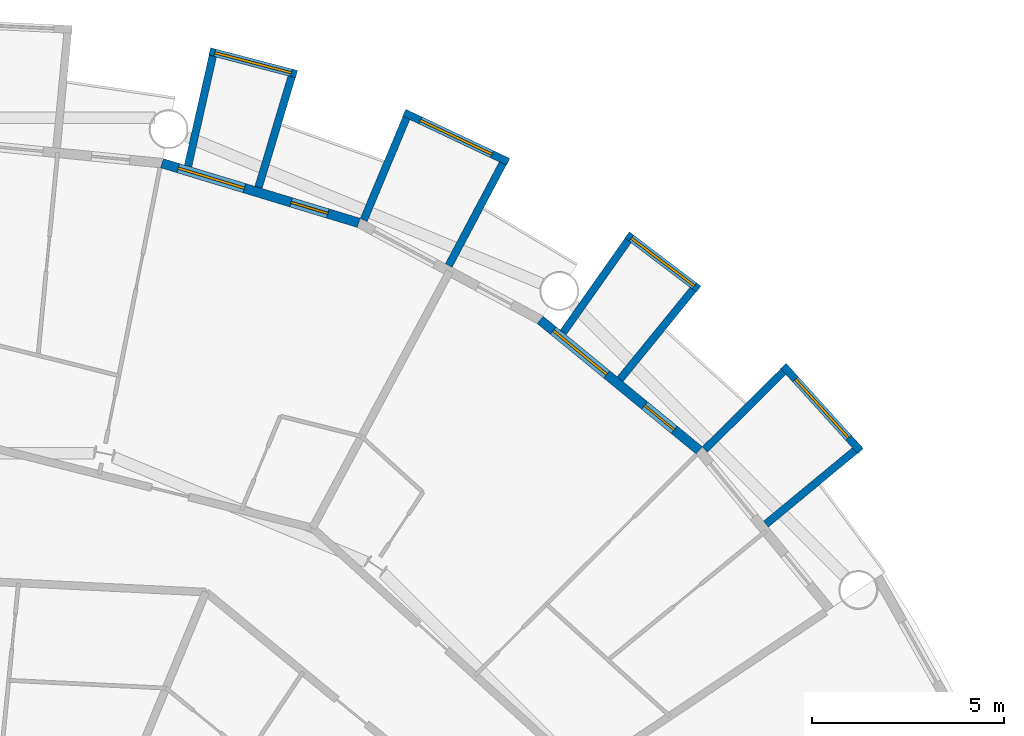
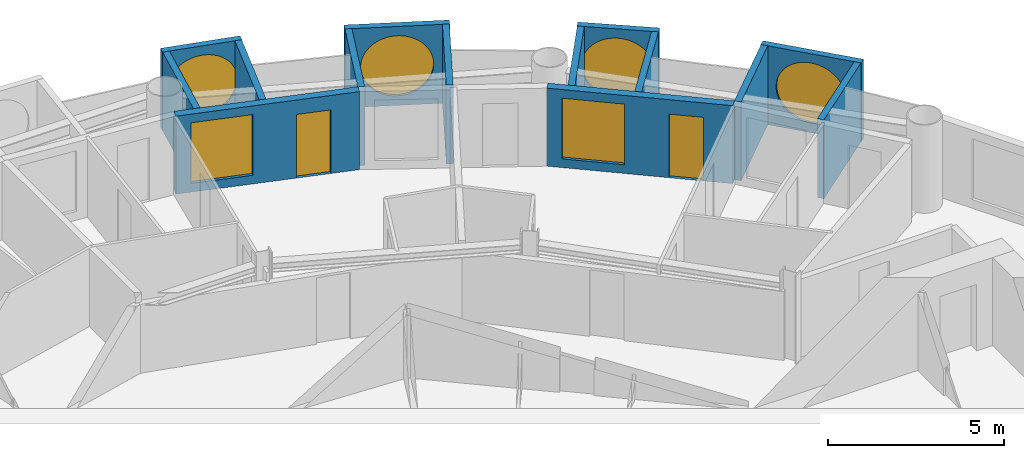
# One storey, part 22 of 26: 14 walls, 6 windows, 2 doors, 8 openings.
"""IFC4 building model written with IfcOpenShell, lengths in metres."""

from ifc_helpers import new_model, si_unit, direction, frame, frame_2d, origin, place, context, subcontext, project, spatial, rectangle, circle, extrude, material, layer, layer_set, type_object, element, fill, save


model = new_model("IFC4")

# Units and contexts
model_context = context("Model", 3, precision=1e-05, world=origin(), true_north=direction((0.0, 1.0)))
body_context = subcontext(model_context, "Body", "Model", "MODEL_VIEW")
ifc_project = project(units=[si_unit("LENGTHUNIT", "METRE"), si_unit("AREAUNIT", "SQUARE_METRE"), si_unit("VOLUMEUNIT", "CUBIC_METRE"), si_unit("PLANEANGLEUNIT", "RADIAN"), si_unit("MASSUNIT", "GRAM", prefix="KILO")], contexts=[model_context])

# Site, building, storey
site_placement = place(None, origin())
site = spatial("IfcSite", under=ifc_project, at=site_placement, CompositionType="ELEMENT")
building_placement = place(site_placement, origin())
building = spatial("IfcBuilding", under=site, at=building_placement, Name="Maasbend Ring Residences", CompositionType="ELEMENT")
storey_placement = place(building_placement, frame((0.0, 0.0, 81.89990234375)))
storey = spatial("IfcBuildingStorey", under=building, at=storey_placement, Name="L23", CompositionType="ELEMENT", Elevation=81.89990234375)

# Wall, opening, window
ifc_material_1 = material(Name="Pale anodised aluminium panel", Category="aluminium")
ifc_layer_1 = layer(ifc_material_1, 0.199951171875)
ifc_layer_set_1 = layer_set([ifc_layer_1], Name="EW-BOX")
wall_type_1 = type_object("IfcWallType", Name="EW-BOX", PredefinedType="SOLIDWALL", material=ifc_layer_set_1)
wall_1_placement = place(storey_placement, frame((23.5029296875, 19.281982421875, -0.02978515625), z_axis=(0.0, 0.0, 1.0), x_axis=(-0.671506829416, 0.740998365753, 0.0)))
wall_1 = element("IfcWall", 1, at=wall_1_placement, inside=storey, type_object=wall_type_1, Name="Box front N02", PredefinedType="SOLIDWALL", context=body_context, shape_type="SweptSolid", body=[
    extrude(rectangle(XDim=2.9931640625, YDim=0.199951171875, at=frame_2d((1.49658203125, 0.0))), origin(), (0.0, 0.0, 1.0), 2.72998046875),
])
opening_1_placement = place(wall_1_placement, frame((0.45654296875, 0.0, 0.330078125)))
opening_1 = element("IfcOpeningElement", 2, at=opening_1_placement, cuts=wall_1, Name="Opening W-RD", PredefinedType="OPENING", context=body_context, shape_type="SweptSolid", body=[
    extrude(circle(Radius=1.0400390625, at=frame_2d((1.0400390625, 1.0400390625))), frame((0.0, 0.10986328125, 0.0), z_axis=(0.0, -1.0, 0.0), x_axis=(1.0, 0.0, 0.0)), (0.0, 0.0, 1.0), 0.219970703125),
])
ifc_material_2 = material(Name="Aluminium and clear glass", Category="aluminium")
window_type_1 = type_object("IfcWindowType", Name="W-RD", PartitioningType="SINGLE_PANEL", PredefinedType="WINDOW", material=ifc_material_2)
window_1_placement = place(opening_1_placement, origin())
window_1 = element("IfcWindow", 3, at=window_1_placement, inside=storey, type_object=window_type_1, Name="Round window N02", OverallHeight=2.080078125, OverallWidth=2.080078125, PartitioningType="SINGLE_PANEL", PredefinedType="WINDOW", context=body_context, shape_type="SweptSolid", body=[
    extrude(circle(Radius=1.0400390625, at=frame_2d((1.0400390625, 1.0400390625))), frame((0.0, 0.030029296875, 0.0), z_axis=(0.0, -1.0, 0.0), x_axis=(1.0, 0.0, 0.0)), (0.0, 0.0, 1.0), 0.06005859375),
])
fill(opening_1, window_1)

# Walls
wall_2_placement = place(storey_placement, frame((21.041015625, 17.384033203125, -0.02978515625), z_axis=(0.0, 0.0, 1.0), x_axis=(0.770784861449, 0.63709551667, 0.0)))
element("IfcWall", 4, at=wall_2_placement, inside=storey, type_object=wall_type_1, Name="Box side wall N02 left", PredefinedType="SOLIDWALL", context=body_context, shape_type="SweptSolid", body=[
    extrude(rectangle(XDim=3.005859375, YDim=0.199951171875, at=frame_2d((1.5029296875, 0.0))), origin(), (0.0, 0.0, 1.0), 2.72998046875),
])
wall_3_placement = place(storey_placement, frame((19.449951171875, 19.322998046875, -0.02978515625), z_axis=(0.0, 0.0, 1.0), x_axis=(0.709727076896, 0.704476739375, 0.0)))
element("IfcWall", 5, at=wall_3_placement, inside=storey, type_object=wall_type_1, Name="Box side wall N02 right", PredefinedType="SOLIDWALL", context=body_context, shape_type="SweptSolid", body=[
    extrude(rectangle(XDim=2.883056640625, YDim=0.199951171875, at=frame_2d((1.44140625, 0.0))), origin(), (0.0, 0.0, 1.0), 2.72998046875),
])

# Wall, opening, window
wall_4_placement = place(storey_placement, frame((19.2890625, 23.4970703125, -0.02978515625), z_axis=(0.0, 0.0, 1.0), x_axis=(-0.796842165306, 0.60418752353, 0.0)))
wall_4 = element("IfcWall", 6, at=wall_4_placement, inside=storey, type_object=wall_type_1, Name="Box front N04", PredefinedType="SOLIDWALL", context=body_context, shape_type="SweptSolid", body=[
    extrude(rectangle(XDim=2.3369140625, YDim=0.199951171875, at=frame_2d((1.16845703125, 0.0))), origin(), (0.0, 0.0, 1.0), 2.72998046875),
])
opening_2_placement = place(wall_4_placement, frame((0.128173828125, 0.0, 0.330078125)))
opening_2 = element("IfcOpeningElement", 7, at=opening_2_placement, cuts=wall_4, Name="Opening W-RD", PredefinedType="OPENING", context=body_context, shape_type="SweptSolid", body=[
    extrude(circle(Radius=1.0400390625, at=frame_2d((1.0400390625, 1.0400390625))), frame((0.0, 0.10986328125, 0.0), z_axis=(0.0, -1.0, 0.0), x_axis=(1.0, 0.0, 0.0)), (0.0, 0.0, 1.0), 0.219970703125),
])
window_2_placement = place(opening_2_placement, origin())
window_2 = element("IfcWindow", 8, at=window_2_placement, inside=storey, type_object=window_type_1, Name="Round window N04", OverallHeight=2.080078125, OverallWidth=2.080078125, PartitioningType="SINGLE_PANEL", PredefinedType="WINDOW", context=body_context, shape_type="SweptSolid", body=[
    extrude(circle(Radius=1.0400390625, at=frame_2d((1.0400390625, 1.0400390625))), frame((0.0, 0.030029296875, 0.0), z_axis=(0.0, -1.0, 0.0), x_axis=(1.0, 0.0, 0.0)), (0.0, 0.0, 1.0), 0.06005859375),
])
fill(opening_2, window_2)

# Walls
wall_5_placement = place(storey_placement, frame((17.24609375, 21.155029296875, -0.02978515625), z_axis=(0.0, 0.0, 1.0), x_axis=(0.631741648902, 0.775179004516, 0.0)))
element("IfcWall", 9, at=wall_5_placement, inside=storey, type_object=wall_type_1, Name="Box side wall N04 left", PredefinedType="SOLIDWALL", context=body_context, shape_type="SweptSolid", body=[
    extrude(rectangle(XDim=3.005859375, YDim=0.199951171875, at=frame_2d((1.5029296875, 0.0))), origin(), (0.0, 0.0, 1.0), 2.72998046875),
])
wall_6_placement = place(storey_placement, frame((15.764892578125, 22.3701171875, -0.02978515625), z_axis=(0.0, 0.0, 1.0), x_axis=(0.576274612209, 0.817256123454, 0.0)))
element("IfcWall", 10, at=wall_6_placement, inside=storey, type_object=wall_type_1, Name="Box side wall N04 right", PredefinedType="SOLIDWALL", context=body_context, shape_type="SweptSolid", body=[
    extrude(rectangle(XDim=2.932861328125, YDim=0.199951171875, at=frame_2d((1.46630859375, 0.0))), origin(), (0.0, 0.0, 1.0), 2.72998046875),
])

# Wall, opening, window
wall_7_placement = place(storey_placement, frame((14.3349609375, 26.80810546875, -0.02978515625), z_axis=(0.0, 0.0, 1.0), x_axis=(-0.904000060331, 0.427532327342, 0.0)))
wall_7 = element("IfcWall", 11, at=wall_7_placement, inside=storey, type_object=wall_type_1, Name="Box front N06", PredefinedType="SOLIDWALL", context=body_context, shape_type="SweptSolid", body=[
    extrude(rectangle(XDim=2.993408203125, YDim=0.199951171875, at=frame_2d((1.49658203125, 0.0))), origin(), (0.0, 0.0, 1.0), 2.72998046875),
])
opening_3_placement = place(wall_7_placement, frame((0.45654296875, 0.0, 0.330078125)))
opening_3 = element("IfcOpeningElement", 12, at=opening_3_placement, cuts=wall_7, Name="Opening W-RD", PredefinedType="OPENING", context=body_context, shape_type="SweptSolid", body=[
    extrude(circle(Radius=1.0400390625, at=frame_2d((1.0400390625, 1.0400390625))), frame((0.0, 0.10986328125, 0.0), z_axis=(0.0, -1.0, 0.0), x_axis=(1.0, 0.0, 0.0)), (0.0, 0.0, 1.0), 0.219970703125),
])
window_3_placement = place(opening_3_placement, origin())
window_3 = element("IfcWindow", 13, at=window_3_placement, inside=storey, type_object=window_type_1, Name="Round window N06", OverallHeight=2.080078125, OverallWidth=2.080078125, PartitioningType="SINGLE_PANEL", PredefinedType="WINDOW", context=body_context, shape_type="SweptSolid", body=[
    extrude(circle(Radius=1.0400390625, at=frame_2d((1.0400390625, 1.0400390625))), frame((0.0, 0.030029296875, 0.0), z_axis=(0.0, -1.0, 0.0), x_axis=(1.0, 0.0, 0.0)), (0.0, 0.0, 1.0), 0.06005859375),
])
fill(opening_3, window_3)

# Walls
wall_8_placement = place(storey_placement, frame((12.787109375, 24.113037109375, -0.02978515625), z_axis=(0.0, 0.0, 1.0), x_axis=(0.468365282436, 0.883534924159, 0.0)))
element("IfcWall", 14, at=wall_8_placement, inside=storey, type_object=wall_type_1, Name="Box side wall N06 left", PredefinedType="SOLIDWALL", context=body_context, shape_type="SweptSolid", body=[
    extrude(rectangle(XDim=3.006103515625, YDim=0.199951171875, at=frame_2d((1.5029296875, 0.0))), origin(), (0.0, 0.0, 1.0), 2.72998046875),
])
wall_9_placement = place(storey_placement, frame((10.574951171875, 25.294921875, -0.02978515625), z_axis=(0.0, 0.0, 1.0), x_axis=(0.385697364644, 0.922625353492, 0.0)))
element("IfcWall", 15, at=wall_9_placement, inside=storey, type_object=wall_type_1, Name="Box side wall N06 right", PredefinedType="SOLIDWALL", context=body_context, shape_type="SweptSolid", body=[
    extrude(rectangle(XDim=2.88330078125, YDim=0.199951171875, at=frame_2d((1.441650390625, 0.0))), origin(), (0.0, 0.0, 1.0), 2.72998046875),
])

# Wall, opening, window
wall_10_placement = place(storey_placement, frame((8.827880859375, 29.090087890625, -0.02978515625), z_axis=(0.0, 0.0, 1.0), x_axis=(-0.967377102346, 0.253340762326, 0.0)))
wall_10 = element("IfcWall", 16, at=wall_10_placement, inside=storey, type_object=wall_type_1, Name="Box front N08", PredefinedType="SOLIDWALL", context=body_context, shape_type="SweptSolid", body=[
    extrude(rectangle(XDim=2.3359375, YDim=0.199951171875, at=frame_2d((1.16796875, 0.0))), origin(), (0.0, 0.0, 1.0), 2.72998046875),
])
opening_4_placement = place(wall_10_placement, frame((0.128173828125, 0.0, 0.330078125)))
opening_4 = element("IfcOpeningElement", 17, at=opening_4_placement, cuts=wall_10, Name="Opening W-RD", PredefinedType="OPENING", context=body_context, shape_type="SweptSolid", body=[
    extrude(circle(Radius=1.0400390625, at=frame_2d((1.0400390625, 1.0400390625))), frame((0.0, 0.10986328125, 0.0), z_axis=(0.0, -1.0, 0.0), x_axis=(1.0, 0.0, 0.0)), (0.0, 0.0, 1.0), 0.219970703125),
])
window_4_placement = place(opening_4_placement, origin())
window_4 = element("IfcWindow", 18, at=window_4_placement, inside=storey, type_object=window_type_1, Name="Round window N08", OverallHeight=2.080078125, OverallWidth=2.080078125, PartitioningType="SINGLE_PANEL", PredefinedType="WINDOW", context=body_context, shape_type="SweptSolid", body=[
    extrude(circle(Radius=1.0400390625, at=frame_2d((1.0400390625, 1.0400390625))), frame((0.0, 0.030029296875, 0.0), z_axis=(0.0, -1.0, 0.0), x_axis=(1.0, 0.0, 0.0)), (0.0, 0.0, 1.0), 0.06005859375),
])
fill(opening_4, window_4)

# Walls
wall_11_placement = place(storey_placement, frame((7.8369140625, 26.14404296875, -0.02978515625), z_axis=(0.0, 0.0, 1.0), x_axis=(0.287064767992, 0.957911174889, 0.0)))
element("IfcWall", 19, at=wall_11_placement, inside=storey, type_object=wall_type_1, Name="Box side wall N08 left", PredefinedType="SOLIDWALL", context=body_context, shape_type="SweptSolid", body=[
    extrude(rectangle(XDim=3.00634765625, YDim=0.199951171875, at=frame_2d((1.503173828125, 0.0))), origin(), (0.0, 0.0, 1.0), 2.72998046875),
])
wall_12_placement = place(storey_placement, frame((6.00390625, 26.699951171875, -0.02978515625), z_axis=(0.0, 0.0, 1.0), x_axis=(0.219609259383, 0.975587911566, 0.0)))
element("IfcWall", 20, at=wall_12_placement, inside=storey, type_object=wall_type_1, Name="Box side wall N08 right", PredefinedType="SOLIDWALL", context=body_context, shape_type="SweptSolid", body=[
    extrude(rectangle(XDim=2.9326171875, YDim=0.199951171875, at=frame_2d((1.46630859375, 0.0))), origin(), (0.0, 0.0, 1.0), 2.72998046875),
])

# Wall, openings, door, window
ifc_material_3 = material(Name="Aluminium clad insulated panel", Category="aluminium")
ifc_layer_2 = layer(ifc_material_3, 0.25)
ifc_layer_set_2 = layer_set([ifc_layer_2], Name="EW-GL")
wall_type_2 = type_object("IfcWallType", Name="EW-GL", PredefinedType="SOLIDWALL", material=ifc_layer_set_2)
wall_13_placement = place(storey_placement, frame((19.303955078125, 19.303955078125, 0.0), z_axis=(0.0, 0.0, 1.0), x_axis=(-0.773019449054, 0.634382322723, 0.0)))
wall_13 = element("IfcWall", 21, at=wall_13_placement, inside=storey, type_object=wall_type_2, Name="External wall N02", PredefinedType="SOLIDWALL", context=body_context, shape_type="SweptSolid", body=[
    extrude(rectangle(XDim=5.351806640625, YDim=0.25, at=frame_2d((2.67578125, 0.0))), origin(), (0.0, 0.0, 1.0), 2.7001953125),
])
opening_5_placement = place(wall_13_placement, frame((0.841064453125, 0.0, 0.0)))
opening_5 = element("IfcOpeningElement", 22, at=opening_5_placement, cuts=wall_13, Name="Opening D-LG", PredefinedType="OPENING", context=body_context, shape_type="SweptSolid", body=[
    extrude(rectangle(XDim=1.0, YDim=2.199951171875, at=frame_2d((0.5, 1.10009765625))), frame((0.0, 0.135009765625, 0.0), z_axis=(0.0, -1.0, 0.0), x_axis=(1.0, 0.0, 0.0)), (0.0, 0.0, 1.0), 0.27001953125),
])
opening_6_placement = place(wall_13_placement, frame((3.110595703125, 0.0, 0.300048828125)))
opening_6 = element("IfcOpeningElement", 23, at=opening_6_placement, cuts=wall_13, Name="Opening W-BX", PredefinedType="OPENING", context=body_context, shape_type="SweptSolid", body=[
    extrude(rectangle(XDim=1.800048828125, YDim=2.10009765625, at=frame_2d((0.89990234375, 1.050048828125))), frame((0.0, 0.135009765625, 0.0), z_axis=(0.0, -1.0, 0.0), x_axis=(1.0, 0.0, 0.0)), (0.0, 0.0, 1.0), 0.27001953125),
])
ifc_material_4 = material(Name="Aluminium and clear glass", Category="aluminium")
door_type = type_object("IfcDoorType", Name="D-LG", OperationType="SINGLE_SWING_LEFT", PredefinedType="DOOR", material=ifc_material_4)
door_1_placement = place(opening_5_placement, origin())
door_1 = element("IfcDoor", 24, at=door_1_placement, inside=storey, type_object=door_type, Name="Loggia door N03", OperationType="SINGLE_SWING_LEFT", OverallHeight=2.199951171875, OverallWidth=1.0, PredefinedType="DOOR", context=body_context, shape_type="SweptSolid", body=[
    extrude(rectangle(XDim=1.0, YDim=2.199951171875, at=frame_2d((0.5, 1.10009765625))), frame((0.0, 0.02490234375, 0.0), z_axis=(0.0, -1.0, 0.0), x_axis=(1.0, 0.0, 0.0)), (0.0, 0.0, 1.0), 0.050048828125),
])
fill(opening_5, door_1)
ifc_material_5 = material(Name="Aluminium and clear glass", Category="aluminium")
window_type_2 = type_object("IfcWindowType", Name="W-BX", PartitioningType="DOUBLE_PANEL_VERTICAL", PredefinedType="WINDOW", material=ifc_material_5)
window_5_placement = place(opening_6_placement, origin())
window_5 = element("IfcWindow", 25, at=window_5_placement, inside=storey, type_object=window_type_2, Name="Window N04 room to box", OverallHeight=2.10009765625, OverallWidth=1.800048828125, PartitioningType="SINGLE_PANEL", PredefinedType="WINDOW", context=body_context, shape_type="SweptSolid", body=[
    extrude(rectangle(XDim=1.800048828125, YDim=2.10009765625, at=frame_2d((0.89990234375, 1.050048828125))), frame((0.0, 0.030029296875, 0.0), z_axis=(0.0, -1.0, 0.0), x_axis=(1.0, 0.0, 0.0)), (0.0, 0.0, 1.0), 0.06005859375),
])
fill(opening_6, window_5)

wall_14_placement = place(storey_placement, frame((10.447021484375, 25.221923828125, 0.0), z_axis=(0.0, 0.0, 1.0), x_axis=(-0.956965678721, 0.290201119486, 0.0)))
wall_14 = element("IfcWall", 26, at=wall_14_placement, inside=storey, type_object=wall_type_2, Name="External wall N04", PredefinedType="SOLIDWALL", context=body_context, shape_type="SweptSolid", body=[
    extrude(rectangle(XDim=5.351318359375, YDim=0.25, at=frame_2d((2.67578125, 0.0))), origin(), (0.0, 0.0, 1.0), 2.7001953125),
])
opening_7_placement = place(wall_14_placement, frame((0.841064453125, 0.0, 0.0)))
opening_7 = element("IfcOpeningElement", 27, at=opening_7_placement, cuts=wall_14, Name="Opening D-LG", PredefinedType="OPENING", context=body_context, shape_type="SweptSolid", body=[
    extrude(rectangle(XDim=1.0, YDim=2.199951171875, at=frame_2d((0.5, 1.10009765625))), frame((0.0, 0.135009765625, 0.0), z_axis=(0.0, -1.0, 0.0), x_axis=(1.0, 0.0, 0.0)), (0.0, 0.0, 1.0), 0.27001953125),
])
opening_8_placement = place(wall_14_placement, frame((3.110595703125, 0.0, 0.300048828125)))
opening_8 = element("IfcOpeningElement", 28, at=opening_8_placement, cuts=wall_14, Name="Opening W-BX", PredefinedType="OPENING", context=body_context, shape_type="SweptSolid", body=[
    extrude(rectangle(XDim=1.800048828125, YDim=2.10009765625, at=frame_2d((0.89990234375, 1.050048828125))), frame((0.0, 0.135009765625, 0.0), z_axis=(0.0, -1.0, 0.0), x_axis=(1.0, 0.0, 0.0)), (0.0, 0.0, 1.0), 0.27001953125),
])
door_2_placement = place(opening_7_placement, origin())
door_2 = element("IfcDoor", 29, at=door_2_placement, inside=storey, type_object=door_type, Name="Loggia door N07", OperationType="SINGLE_SWING_LEFT", OverallHeight=2.199951171875, OverallWidth=1.0, PredefinedType="DOOR", context=body_context, shape_type="SweptSolid", body=[
    extrude(rectangle(XDim=1.0, YDim=2.199951171875, at=frame_2d((0.5, 1.10009765625))), frame((0.0, 0.02490234375, 0.0), z_axis=(0.0, -1.0, 0.0), x_axis=(1.0, 0.0, 0.0)), (0.0, 0.0, 1.0), 0.050048828125),
])
fill(opening_7, door_2)
window_6_placement = place(opening_8_placement, origin())
window_6 = element("IfcWindow", 30, at=window_6_placement, inside=storey, type_object=window_type_2, Name="Window N08 room to box", OverallHeight=2.10009765625, OverallWidth=1.800048828125, PartitioningType="SINGLE_PANEL", PredefinedType="WINDOW", context=body_context, shape_type="SweptSolid", body=[
    extrude(rectangle(XDim=1.800048828125, YDim=2.10009765625, at=frame_2d((0.89990234375, 1.050048828125))), frame((0.0, 0.030029296875, 0.0), z_axis=(0.0, -1.0, 0.0), x_axis=(1.0, 0.0, 0.0)), (0.0, 0.0, 1.0), 0.06005859375),
])
fill(opening_8, window_6)

save(model, "model.ifc")
